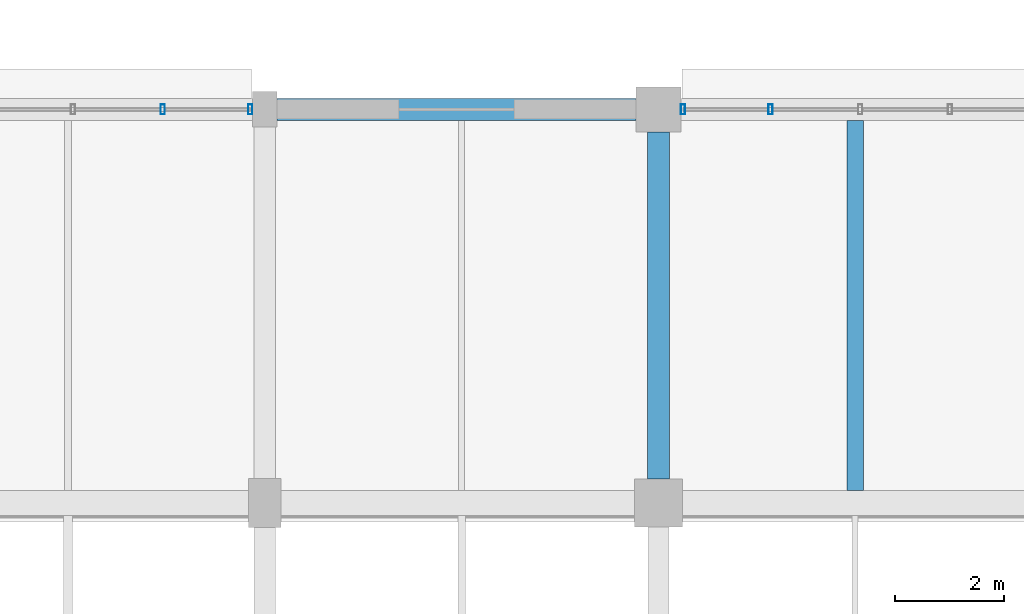
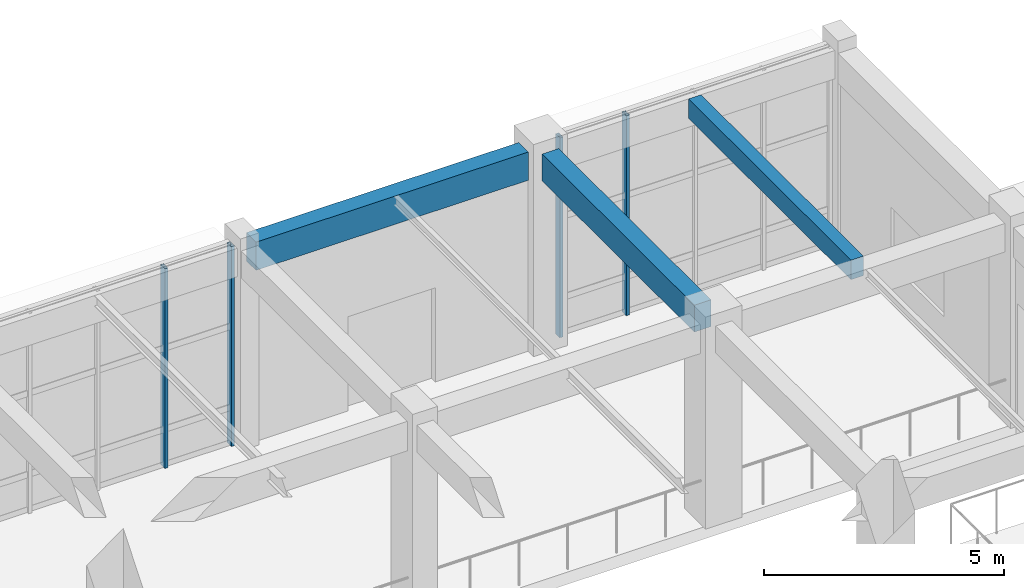
# One storey, part 110 of 160: 4 members, 3 beams, 2 elements without a shape of their own.
"""IFC4 building model written with IfcOpenShell, lengths in metres."""

from ifc_helpers import new_model, si_unit, direction, frame, origin, origin_2d, place, context, subcontext, project, spatial, rectangle, hollow_rectangle, extrude, material, material_profile, profile_set, type_object, element, aggregate, save


model = new_model("IFC4")

# Units and contexts
model_context = context("Model", 3, precision=1e-05, world=origin(), true_north=direction((0.0, 1.0)))
body_context = subcontext(model_context, "Body", "Model", "MODEL_VIEW")
ifc_project = project(units=[si_unit("LENGTHUNIT", "METRE"), si_unit("AREAUNIT", "SQUARE_METRE"), si_unit("VOLUMEUNIT", "CUBIC_METRE"), si_unit("PLANEANGLEUNIT", "RADIAN"), si_unit("MASSUNIT", "GRAM", prefix="KILO")], contexts=[model_context])

# Site, building, storey
site_placement = place(None, origin())
site = spatial("IfcSite", under=ifc_project, at=site_placement, CompositionType="ELEMENT")
building_placement = place(site_placement, origin())
building = spatial("IfcBuilding", under=site, at=building_placement, Name="Thalmaran Polytechnic", CompositionType="ELEMENT")
storey_placement = place(building_placement, origin())
storey = spatial("IfcBuildingStorey", under=building, at=storey_placement, Name="L00", CompositionType="ELEMENT", Elevation=0.0)

# Beams
ifc_material_1 = material(Name="Concrete C40/50", Category="concrete")
ifc_material_profile_1 = material_profile(ifc_material_1, rectangle(XDim=0.300048828125, YDim=0.5, at=origin_2d()), Name="RC 300x500")
ifc_profile_set_1 = profile_set([ifc_material_profile_1], Name="Concrete C40/50")
beam_type_1 = type_object("IfcBeamType", Name="BM-RC11", PredefinedType="JOIST", material=ifc_profile_set_1)
beam_1_placement = place(storey_placement, frame((169.199951171875, 115.425048828125, 4.840087890625), z_axis=(0.0, 1.0, 0.0), x_axis=(-1.0, 0.0, 0.0)))
element("IfcBeam", 1, at=beam_1_placement, inside=storey, type_object=beam_type_1, Name="Secondary Floor Rib RB01 L00 (23,16)", PredefinedType="JOIST", context=body_context, shape_type="SweptSolid", body=[
    extrude(rectangle(XDim=0.300048828125, YDim=0.5, at=origin_2d()), origin(), (0.0, 0.0, 1.0), 6.77490234375),
])
ifc_material_profile_2 = material_profile(ifc_material_1, rectangle(XDim=0.39990234375, YDim=0.719970703125, at=origin_2d()), Name="RC 400x720")
ifc_profile_set_2 = profile_set([ifc_material_profile_2], Name="Concrete C40/50")
beam_type_2 = type_object("IfcBeamType", Name="BM-SP01", PredefinedType="SPANDREL", material=ifc_profile_set_2)
beam_2_placement = place(storey_placement, frame((158.625, 122.39990234375, 4.72998046875), z_axis=(1.0, 0.0, 0.0), x_axis=(0.0, 1.0, 0.0)))
element("IfcBeam", 2, at=beam_2_placement, inside=storey, type_object=beam_type_2, Name="Grid Beam SP01 L00 X(22,17)", PredefinedType="SPANDREL", context=body_context, shape_type="SweptSolid", body=[
    extrude(rectangle(XDim=0.39990234375, YDim=0.719970703125, at=origin_2d()), origin(), (0.0, 0.0, 1.0), 6.56494140625),
])
ifc_material_profile_3 = material_profile(ifc_material_1, rectangle(XDim=0.39990234375, YDim=0.68505859375, at=origin_2d()), Name="RC 400x685")
ifc_profile_set_3 = profile_set([ifc_material_profile_3], Name="Concrete C40/50")
beam_type_3 = type_object("IfcBeamType", Name="BM-ZB07", PredefinedType="BEAM", material=ifc_profile_set_3)
beam_3_placement = place(storey_placement, frame((165.60009765625, 115.639892578125, 4.74755859375), z_axis=(0.0, 1.0, 0.0), x_axis=(-1.0, 0.0, 0.0)))
element("IfcBeam", 3, at=beam_3_placement, inside=storey, type_object=beam_type_3, Name="Grid Beam ZB07 L00 Y(23,16)", PredefinedType="BEAM", context=body_context, shape_type="SweptSolid", body=[
    extrude(rectangle(XDim=0.39990234375, YDim=0.68505859375, at=origin_2d()), origin(), (0.0, 0.0, 1.0), 6.35009765625),
])

# Curtain wall, members
ifc_material_2 = material(Name="Aluminium 6063-T6", Category="aluminium")
curtain_wall_type = type_object("IfcCurtainWallType", Name="CW-UC01", PredefinedType="USERDEFINED", material=ifc_material_2)
curtain_wall_1_placement = place(storey_placement, origin())
curtain_wall_1 = element("IfcCurtainWall", 4, at=curtain_wall_1_placement, inside=storey, type_object=curtain_wall_type, Name="Curtain Wall CW-L00-012", ObjectType="UNITISED CURTAIN WALL", PredefinedType="USERDEFINED")
ifc_material_profile_4 = material_profile(ifc_material_2, hollow_rectangle(XDim=0.080078125, YDim=0.179931640625, WallThickness=0.0048828125, at=origin_2d()), Name="RHS 180x80x5.0")
ifc_profile_set_4 = profile_set([ifc_material_profile_4], Name="Aluminium 6063-T6")
member_type = type_object("IfcMemberType", Name="CW-MUL1", PredefinedType="MULLION", material=ifc_profile_set_4)
member_1_placement = place(storey_placement, frame((156.53369140625, 122.39990234375, 0.0), z_axis=(0.0, 0.0, 1.0), x_axis=(1.0, 0.0, 0.0)))
member_1 = element("IfcMember", 5, at=member_1_placement, type_object=member_type, Name="CW-L00-012 Mullion 4", PredefinedType="MULLION", context=body_context, shape_type="SweptSolid", body=[
    extrude(hollow_rectangle(XDim=0.080078125, YDim=0.179931640625, WallThickness=0.0048828125, at=origin_2d()), origin(), (0.0, 0.0, 1.0), 5.090087890625),
])
member_2_placement = place(storey_placement, frame((158.135009765625, 122.39990234375, 0.0), z_axis=(0.0, 0.0, 1.0), x_axis=(1.0, 0.0, 0.0)))
member_2 = element("IfcMember", 6, at=member_2_placement, type_object=member_type, Name="CW-L00-012 Mullion 5", PredefinedType="MULLION", context=body_context, shape_type="SweptSolid", body=[
    extrude(hollow_rectangle(XDim=0.080078125, YDim=0.179931640625, WallThickness=0.0048828125, at=origin_2d()), origin(), (0.0, 0.0, 1.0), 5.090087890625),
])
aggregate(curtain_wall_1, [member_1, member_2])

curtain_wall_2_placement = place(storey_placement, origin())
curtain_wall_2 = element("IfcCurtainWall", 7, at=curtain_wall_2_placement, inside=storey, type_object=curtain_wall_type, Name="Curtain Wall CW-L00-013", ObjectType="UNITISED CURTAIN WALL", PredefinedType="USERDEFINED")
member_3_placement = place(storey_placement, frame((166.050048828125, 122.39990234375, 0.0), z_axis=(0.0, 0.0, 1.0), x_axis=(1.0, 0.0, 0.0)))
member_3 = element("IfcMember", 8, at=member_3_placement, type_object=member_type, Name="CW-L00-013 Mullion 1", PredefinedType="MULLION", context=body_context, shape_type="SweptSolid", body=[
    extrude(hollow_rectangle(XDim=0.080078125, YDim=0.179931640625, WallThickness=0.0048828125, at=origin_2d()), origin(), (0.0, 0.0, 1.0), 5.090087890625),
])
member_4_placement = place(storey_placement, frame((167.6513671875, 122.39990234375, 0.0), z_axis=(0.0, 0.0, 1.0), x_axis=(1.0, 0.0, 0.0)))
member_4 = element("IfcMember", 9, at=member_4_placement, type_object=member_type, Name="CW-L00-013 Mullion 2", PredefinedType="MULLION", context=body_context, shape_type="SweptSolid", body=[
    extrude(hollow_rectangle(XDim=0.080078125, YDim=0.179931640625, WallThickness=0.0048828125, at=origin_2d()), origin(), (0.0, 0.0, 1.0), 5.090087890625),
])
aggregate(curtain_wall_2, [member_3, member_4])

save(model, "model.ifc")
